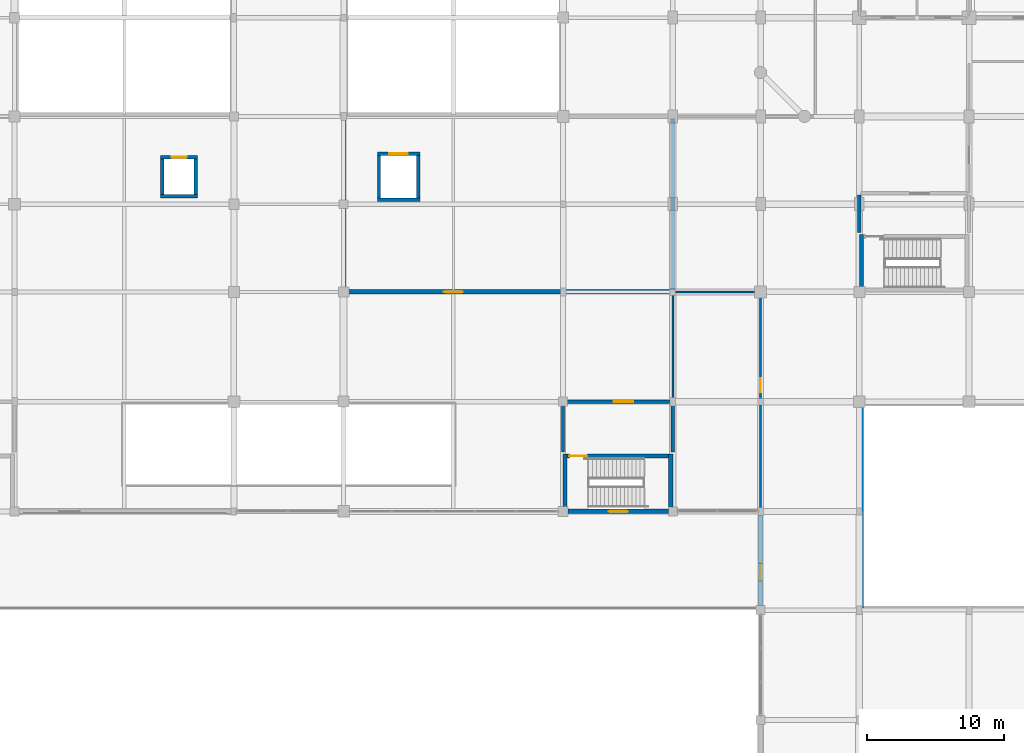
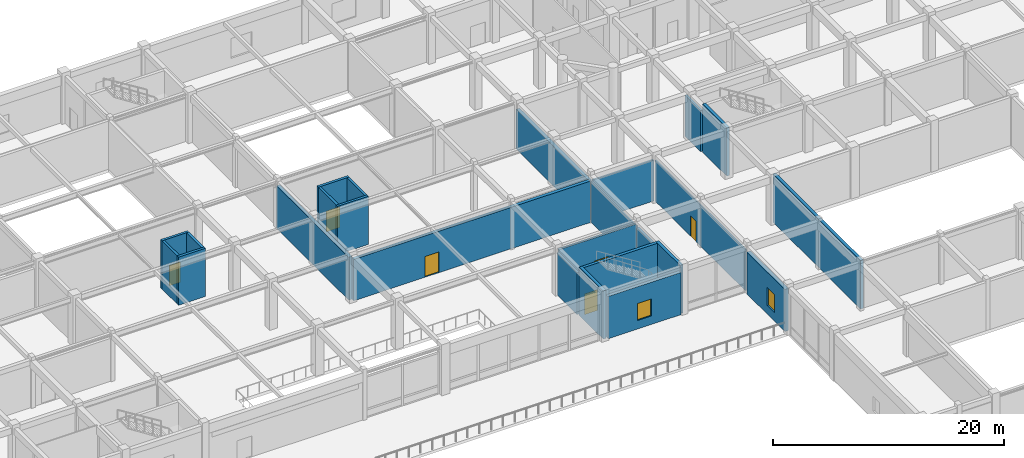
# One storey, part 24 of 36: 25 walls, 6 doors, 2 windows, 8 openings.
"""IFC4 building model written with IfcOpenShell, lengths in metres."""

from ifc_helpers import new_model, si_unit, direction, frame, frame_2d, origin, place, context, subcontext, project, spatial, rectangle, extrude, material, layer, layer_set, type_object, element, fill, save


model = new_model("IFC4")

# Units and contexts
model_context = context("Model", 3, precision=1e-05, world=origin(), true_north=direction((0.0, 1.0)))
body_context = subcontext(model_context, "Body", "Model", "MODEL_VIEW")
ifc_project = project(units=[si_unit("LENGTHUNIT", "METRE"), si_unit("AREAUNIT", "SQUARE_METRE"), si_unit("VOLUMEUNIT", "CUBIC_METRE"), si_unit("PLANEANGLEUNIT", "RADIAN"), si_unit("MASSUNIT", "GRAM", prefix="KILO")], contexts=[model_context])

# Site, building, storey
site_placement = place(None, origin())
site = spatial("IfcSite", under=ifc_project, at=site_placement, CompositionType="ELEMENT")
building_placement = place(site_placement, origin())
building = spatial("IfcBuilding", under=site, at=building_placement, Name="Vellmiral Cinema and Media Centre", CompositionType="ELEMENT")
storey_placement = place(building_placement, frame((0.0, 0.0, 5.39990234375)))
storey = spatial("IfcBuildingStorey", under=building, at=storey_placement, Name="L01", CompositionType="ELEMENT", Elevation=5.39990234375)

# Wall, opening, door
ifc_material_1 = material(Name="Calcium-Silicate Masonry Blockwork", Category="masonry")
ifc_layer_1 = layer(ifc_material_1, 0.1201171875, Name="Calcium-Silicate Masonry Blockwork", Category="masonry")
ifc_material_2 = material(Name="Mineral Wool Acoustic Insulation", Category="insulation")
ifc_layer_2 = layer(ifc_material_2, 0.090087890625, Name="Mineral Wool Acoustic Insulation", Category="insulation")
ifc_layer_3 = layer(ifc_material_1, 0.1201171875, Name="Calcium-Silicate Masonry Blockwork", Category="masonry")
ifc_layer_set_1 = layer_set([ifc_layer_1, ifc_layer_2, ifc_layer_3], Name="Calcium-Silicate Masonry Blockwork")
wall_type_1 = type_object("IfcWallType", Name="WL-AC-330", PredefinedType="SOLIDWALL", material=ifc_layer_set_1)
wall_1_placement = place(storey_placement, frame((86.5400390625, 59.199951171875, 0.0), z_axis=(0.0, 0.0, 1.0), x_axis=(1.0, 0.0, 0.0)))
wall_1 = element("IfcWall", 1, at=wall_1_placement, inside=storey, type_object=wall_type_1, Name="Broadcast Transmission Control Room B Wall S", PredefinedType="SOLIDWALL", context=body_context, shape_type="SweptSolid", body=[
    extrude(rectangle(XDim=23.719970703125, YDim=0.330078125, at=frame_2d((11.85986328125, 0.0))), origin(), (0.0, 0.0, 1.0), 4.385009765625),
])
opening_1_placement = place(wall_1_placement, frame((7.159912109375, 0.0, 0.0)))
opening_1 = element("IfcOpeningElement", 2, at=opening_1_placement, cuts=wall_1, Name="Opening D-AC4", PredefinedType="OPENING", context=body_context, shape_type="SweptSolid", body=[
    extrude(rectangle(XDim=1.39990234375, YDim=2.199951171875, at=frame_2d((0.699951171875, 1.10009765625))), frame((0.0, 0.177001953125, 0.0), z_axis=(0.0, -1.0, 0.0), x_axis=(1.0, 0.0, 0.0)), (0.0, 0.0, 1.0), 0.35400390625),
])
ifc_material_3 = material(Name="Acoustic Studio Door", Category="steel")
door_type_1 = type_object("IfcDoorType", Name="DR-AC-1400x2200", OperationType="NOTDEFINED", PredefinedType="DOOR", material=ifc_material_3)
door_1_placement = place(opening_1_placement, frame((1.39990234375, 0.0, 0.0), z_axis=(0.0, 0.0, 1.0), x_axis=(-1.0, 0.0, 0.0)))
door_1 = element("IfcDoor", 3, at=door_1_placement, inside=storey, type_object=door_type_1, Name="Broadcast Transmission Control Room B Door", OperationType="SINGLE_SWING_RIGHT", OverallHeight=2.199951171875, OverallWidth=1.39990234375, PredefinedType="DOOR", context=body_context, shape_type="SweptSolid", body=[
    extrude(rectangle(XDim=1.39990234375, YDim=2.199951171875, at=frame_2d((0.699951171875, 1.10009765625))), frame((0.0, 0.02490234375, 0.0), z_axis=(0.0, -1.0, 0.0), x_axis=(1.0, 0.0, 0.0)), (0.0, 0.0, 1.0), 0.050048828125),
])
fill(opening_1, door_1)

# Walls
wall_2_placement = place(storey_placement, frame((86.39990234375, 59.340087890625, 0.0), z_axis=(0.0, 0.0, 1.0), x_axis=(0.0, 1.0, 0.0)))
element("IfcWall", 4, at=wall_2_placement, inside=storey, type_object=wall_type_1, Name="Broadcast Transmission Control Room B Wall W", PredefinedType="SOLIDWALL", context=body_context, shape_type="SweptSolid", body=[
    extrude(rectangle(XDim=12.52001953125, YDim=0.330078125, at=frame_2d((6.260009765625, 0.0))), origin(), (0.0, 0.0, 1.0), 4.53515625),
])
wall_3_placement = place(storey_placement, frame((110.39990234375, 59.340087890625, 0.0), z_axis=(0.0, 0.0, 1.0), x_axis=(0.0, 1.0, 0.0)))
element("IfcWall", 5, at=wall_3_placement, inside=storey, type_object=wall_type_1, Name="Broadcast Transmission Control Room B Wall E", PredefinedType="SOLIDWALL", context=body_context, shape_type="SweptSolid", body=[
    extrude(rectangle(XDim=12.52001953125, YDim=0.330078125, at=frame_2d((6.260009765625, 0.0))), origin(), (0.0, 0.0, 1.0), 4.235107421875),
])
ifc_material_4 = material(Name="Concrete C40/50", Category="concrete")
ifc_layer_4 = layer(ifc_material_4, 0.300048828125, Name="Concrete C40/50")
ifc_layer_set_2 = layer_set([ifc_layer_4], Name="Concrete C40/50")
wall_type_2 = type_object("IfcWallType", Name="WL-CORE-300", PredefinedType="SHEAR", material=ifc_layer_set_2)
wall_4_placement = place(storey_placement, frame((124.14990234375, 36.0, 0.0), z_axis=(0.0, 0.0, 1.0), x_axis=(0.0, 1.0, 0.0)))
element("IfcWall", 6, at=wall_4_placement, inside=storey, type_object=wall_type_2, Name="Cinema Screen 6 Acoustic Enclosure Wall L01-W1", PredefinedType="SHEAR", context=body_context, shape_type="SweptSolid", body=[
    extrude(rectangle(XDim=15.199951171875, YDim=0.300048828125, at=frame_2d((7.60009765625, 0.0))), origin(), (0.0, 0.0, 1.0), 5.10009765625),
])
for number, where, z_axis, x_axis, name in (
    (7, (102.550048828125, 43.199951171875, 0.0), (0.0, 0.0, 1.0), (0.0, 1.0, 0.0), "Stair Core Wall ST-P4 L01-W"),
    (8, (110.25, 43.199951171875, 0.0), (0.0, 0.0, 1.0), (0.0, 1.0, 0.0), "Stair Core Wall ST-P4 L01-E"),
):
    element("IfcWall", number, at=place(storey_placement, frame(where, z_axis=z_axis, x_axis=x_axis)), inside=storey, type_object=wall_type_2, Name=name, PredefinedType="SHEAR", context=body_context, shape_type="SweptSolid", body=[
        extrude(rectangle(XDim=4.199951171875, YDim=0.300048828125, at=frame_2d((2.10009765625, 0.0))), origin(), (0.0, 0.0, 1.0), 5.10009765625),
    ])

# Wall, opening, door
wall_5_placement = place(storey_placement, frame((102.699951171875, 47.25, 0.0), z_axis=(0.0, 0.0, 1.0), x_axis=(1.0, 0.0, 0.0)))
wall_5 = element("IfcWall", 9, at=wall_5_placement, inside=storey, type_object=wall_type_2, Name="Stair Core Wall ST-P4 L01-N", PredefinedType="SHEAR", context=body_context, shape_type="SweptSolid", body=[
    extrude(rectangle(XDim=7.400146484375, YDim=0.300048828125, at=frame_2d((3.7001953125, 0.0))), origin(), (0.0, 0.0, 1.0), 5.10009765625),
])
opening_2_placement = place(wall_5_placement, frame((0.159912109375, 0.0, 0.0)))
opening_2 = element("IfcOpeningElement", 10, at=opening_2_placement, cuts=wall_5, Name="Opening D-FD30A", PredefinedType="OPENING", context=body_context, shape_type="SweptSolid", body=[
    extrude(rectangle(XDim=1.300048828125, YDim=2.179931640625, at=frame_2d((0.64990234375, 1.08984375))), frame((0.0, 0.162109375, 0.0), z_axis=(0.0, -1.0, 0.0), x_axis=(1.0, 0.0, 0.0)), (0.0, 0.0, 1.0), 0.323974609375),
])
ifc_material_5 = material(Name="Steel Stair Fire Door", Category="steel")
door_type_2 = type_object("IfcDoorType", Name="DR-FD30-1300x2180", OperationType="NOTDEFINED", PredefinedType="DOOR", material=ifc_material_5)
door_2_placement = place(opening_2_placement, frame((1.300048828125, 0.0, 0.0), z_axis=(0.0, 0.0, 1.0), x_axis=(-1.0, 0.0, 0.0)))
door_2 = element("IfcDoor", 11, at=door_2_placement, inside=storey, type_object=door_type_2, Name="Protected Stair Door ST-P4 L01", OperationType="SINGLE_SWING_RIGHT", OverallHeight=2.179931640625, OverallWidth=1.300048828125, PredefinedType="DOOR", context=body_context, shape_type="SweptSolid", body=[
    extrude(rectangle(XDim=1.300048828125, YDim=2.179931640625, at=frame_2d((0.64990234375, 1.08984375))), frame((0.0, 0.02490234375, 0.0), z_axis=(0.0, -1.0, 0.0), x_axis=(1.0, 0.0, 0.0)), (0.0, 0.0, 1.0), 0.050048828125),
])
fill(opening_2, door_2)

# Wall
wall_6_placement = place(storey_placement, frame((124.14990234375, 59.199951171875, 0.0), z_axis=(0.0, 0.0, 1.0), x_axis=(0.0, 1.0, 0.0)))
element("IfcWall", 12, at=wall_6_placement, inside=storey, type_object=wall_type_2, Name="Stair Core Wall ST-P6 L01-W", PredefinedType="SHEAR", context=body_context, shape_type="SweptSolid", body=[
    extrude(rectangle(XDim=4.199951171875, YDim=0.300048828125, at=frame_2d((2.10009765625, 0.0))), origin(), (0.0, 0.0, 1.0), 5.10009765625),
])

# Wall, opening, window
ifc_material_6 = material(Name="Polychrome Glazed Ceramic Cladding", Category="masonry")
ifc_layer_5 = layer(ifc_material_6, 0.320068359375, Name="Polychrome Glazed Ceramic Cladding")
ifc_layer_set_3 = layer_set([ifc_layer_5], Name="Polychrome Glazed Ceramic Cladding")
wall_type_3 = type_object("IfcWallType", Name="WL-EXT-BRICK-320", PredefinedType="SOLIDWALL", material=ifc_layer_set_3)
wall_7_placement = place(storey_placement, frame((102.77490234375, 43.199951171875, 0.0), z_axis=(0.0, 0.0, 1.0), x_axis=(1.0, 0.0, 0.0)))
wall_7 = element("IfcWall", 13, at=wall_7_placement, inside=storey, type_object=wall_type_3, Name="Exterior Facade Wall L01-015", PredefinedType="SOLIDWALL", context=body_context, shape_type="SweptSolid", body=[
    extrude(rectangle(XDim=7.300048828125, YDim=0.320068359375, at=frame_2d((3.64990234375, 0.0))), origin(), (0.0, 0.0, 1.0), 4.47509765625),
])
opening_3_placement = place(wall_7_placement, frame((2.949951171875, 0.0, 0.89990234375)))
opening_3 = element("IfcOpeningElement", 14, at=opening_3_placement, cuts=wall_7, Name="Opening WN-07", PredefinedType="OPENING", context=body_context, shape_type="SweptSolid", body=[
    extrude(rectangle(XDim=1.39990234375, YDim=1.800048828125, at=frame_2d((0.699951171875, 0.89990234375))), frame((0.0, 0.171875, 0.0), z_axis=(0.0, -1.0, 0.0), x_axis=(1.0, 0.0, 0.0)), (0.0, 0.0, 1.0), 0.343994140625),
])
ifc_material_7 = material(Name="Thermally Broken Aluminium Triple Glazing", Category="aluminium")
window_type_1 = type_object("IfcWindowType", Name="WN-1400x1800", PartitioningType="SINGLE_PANEL", PredefinedType="WINDOW", material=ifc_material_7)
window_1_placement = place(opening_3_placement, origin())
window_1 = element("IfcWindow", 15, at=window_1_placement, inside=storey, type_object=window_type_1, Name="Window L01-015", OverallHeight=1.800048828125, OverallWidth=1.39990234375, PartitioningType="SINGLE_PANEL", PredefinedType="WINDOW", context=body_context, shape_type="SweptSolid", body=[
    extrude(rectangle(XDim=1.39990234375, YDim=1.800048828125, at=frame_2d((0.699951171875, 0.89990234375))), frame((0.0, 0.030029296875, 0.0), z_axis=(0.0, -1.0, 0.0), x_axis=(1.0, 0.0, 0.0)), (0.0, 0.0, 1.0), 0.06005859375),
])
fill(opening_3, window_1)

ifc_material_8 = material(Name="Vosges Red Sandstone Masonry", Category="masonry")
ifc_layer_6 = layer(ifc_material_8, 0.3798828125, Name="Vosges Red Sandstone Masonry")
ifc_layer_set_4 = layer_set([ifc_layer_6], Name="Vosges Red Sandstone Masonry")
wall_type_4 = type_object("IfcWallType", Name="WL-EXT-SAND-380", PredefinedType="SOLIDWALL", material=ifc_layer_set_4)
wall_8_placement = place(storey_placement, frame((116.800048828125, 42.89990234375, 0.0), z_axis=(0.0, 0.0, 1.0), x_axis=(0.0, -1.0, 0.0)))
wall_8 = element("IfcWall", 16, at=wall_8_placement, inside=storey, type_object=wall_type_4, Name="Exterior Facade Wall L01-017", PredefinedType="SOLIDWALL", context=body_context, shape_type="SweptSolid", body=[
    extrude(rectangle(XDim=6.574951171875, YDim=0.3798828125, at=frame_2d((3.28759765625, 0.0))), origin(), (0.0, 0.0, 1.0), 4.440185546875),
])
opening_4_placement = place(wall_8_placement, frame((3.512451171875, 0.0, 0.89990234375)))
opening_4 = element("IfcOpeningElement", 17, at=opening_4_placement, cuts=wall_8, Name="Opening WN-09", PredefinedType="OPENING", context=body_context, shape_type="SweptSolid", body=[
    extrude(rectangle(XDim=1.25, YDim=1.89990234375, at=frame_2d((0.625, 0.949951171875))), frame((0.0, 0.201904296875, 0.0), z_axis=(0.0, -1.0, 0.0), x_axis=(1.0, 0.0, 0.0)), (0.0, 0.0, 1.0), 0.40380859375),
])
ifc_material_9 = material(Name="Thermally Broken Aluminium Triple Glazing", Category="aluminium")
window_type_2 = type_object("IfcWindowType", Name="WN-1250x1900", PartitioningType="SINGLE_PANEL", PredefinedType="WINDOW", material=ifc_material_9)
window_2_placement = place(opening_4_placement, origin())
window_2 = element("IfcWindow", 18, at=window_2_placement, inside=storey, type_object=window_type_2, Name="Window L01-017", OverallHeight=1.89990234375, OverallWidth=1.25, PartitioningType="SINGLE_PANEL", PredefinedType="WINDOW", context=body_context, shape_type="SweptSolid", body=[
    extrude(rectangle(XDim=1.25, YDim=1.89990234375, at=frame_2d((0.625, 0.949951171875))), frame((0.0, 0.030029296875, 0.0), z_axis=(0.0, -1.0, 0.0), x_axis=(1.0, 0.0, 0.0)), (0.0, 0.0, 1.0), 0.06005859375),
])
fill(opening_4, window_2)

# Wall, opening, door
ifc_material_10 = material(Name="Concrete C40/50", Category="concrete")
ifc_layer_7 = layer(ifc_material_10, 0.22998046875, Name="Concrete C40/50")
ifc_layer_set_5 = layer_set([ifc_layer_7], Name="Concrete C40/50")
wall_type_5 = type_object("IfcWallType", Name="WL-FFL-230", PredefinedType="SOLIDWALL", material=ifc_layer_set_5)
wall_9_placement = place(storey_placement, frame((102.5400390625, 51.199951171875, 0.0), z_axis=(0.0, 0.0, 1.0), x_axis=(1.0, 0.0, 0.0)))
wall_9 = element("IfcWall", 19, at=wall_9_placement, inside=storey, type_object=wall_type_5, Name="Firefighting Stair Lobby ST-P4 Wall N", PredefinedType="SOLIDWALL", context=body_context, shape_type="SweptSolid", body=[
    extrude(rectangle(XDim=7.719970703125, YDim=0.22998046875, at=frame_2d((3.85986328125, 0.0))), origin(), (0.0, 0.0, 1.0), 4.64501953125),
])
opening_5_placement = place(wall_9_placement, frame((3.56005859375, 0.0, 0.0)))
opening_5 = element("IfcOpeningElement", 20, at=opening_5_placement, cuts=wall_9, Name="Opening D-FD60B", PredefinedType="OPENING", context=body_context, shape_type="SweptSolid", body=[
    extrude(rectangle(XDim=1.39990234375, YDim=2.199951171875, at=frame_2d((0.699951171875, 1.10009765625))), frame((0.0, 0.126953125, 0.0), z_axis=(0.0, -1.0, 0.0), x_axis=(1.0, 0.0, 0.0)), (0.0, 0.0, 1.0), 0.25390625),
])
ifc_material_11 = material(Name="Steel Fire Door", Category="steel")
door_type_3 = type_object("IfcDoorType", Name="DR-FD60-1400x2200", OperationType="NOTDEFINED", PredefinedType="DOOR", material=ifc_material_11)
door_3_placement = place(opening_5_placement, frame((1.39990234375, 0.0, 0.0), z_axis=(0.0, 0.0, 1.0), x_axis=(-1.0, 0.0, 0.0)))
door_3 = element("IfcDoor", 21, at=door_3_placement, inside=storey, type_object=door_type_3, Name="Firefighting Stair Lobby ST-P4 Door", OperationType="SINGLE_SWING_LEFT", OverallHeight=2.199951171875, OverallWidth=1.39990234375, PredefinedType="DOOR", context=body_context, shape_type="SweptSolid", body=[
    extrude(rectangle(XDim=1.39990234375, YDim=2.199951171875, at=frame_2d((0.699951171875, 1.10009765625))), frame((0.0, 0.02490234375, 0.0), z_axis=(0.0, -1.0, 0.0), x_axis=(1.0, 0.0, 0.0)), (0.0, 0.0, 1.0), 0.050048828125),
])
fill(opening_5, door_3)

# Walls
wall_10_placement = place(storey_placement, frame((102.39990234375, 47.5400390625, 0.0), z_axis=(0.0, 0.0, 1.0), x_axis=(0.0, 1.0, 0.0)))
element("IfcWall", 22, at=wall_10_placement, inside=storey, type_object=wall_type_5, Name="Firefighting Stair Lobby ST-P4 Wall W", PredefinedType="SOLIDWALL", context=body_context, shape_type="SweptSolid", body=[
    extrude(rectangle(XDim=3.52001953125, YDim=0.22998046875, at=frame_2d((1.760009765625, 0.0))), origin(), (0.0, 0.0, 1.0), 4.43505859375),
])
wall_11_placement = place(storey_placement, frame((110.39990234375, 47.5400390625, 0.0), z_axis=(0.0, 0.0, 1.0), x_axis=(0.0, 1.0, 0.0)))
element("IfcWall", 23, at=wall_11_placement, inside=storey, type_object=wall_type_5, Name="Firefighting Stair Lobby ST-P4 Wall E", PredefinedType="SOLIDWALL", context=body_context, shape_type="SweptSolid", body=[
    extrude(rectangle(XDim=3.52001953125, YDim=0.22998046875, at=frame_2d((1.760009765625, 0.0))), origin(), (0.0, 0.0, 1.0), 4.28515625),
])
wall_12_placement = place(storey_placement, frame((124.0, 63.5400390625, 0.0), z_axis=(0.0, 0.0, 1.0), x_axis=(0.0, 1.0, 0.0)))
element("IfcWall", 24, at=wall_12_placement, inside=storey, type_object=wall_type_5, Name="Firefighting Stair Lobby ST-P6 Wall W", PredefinedType="SOLIDWALL", context=body_context, shape_type="SweptSolid", body=[
    extrude(rectangle(XDim=2.719970703125, YDim=0.22998046875, at=frame_2d((1.35986328125, 0.0))), origin(), (0.0, 0.0, 1.0), 4.335205078125),
])

# Wall, opening, door
ifc_material_12 = material(Name="Gypsum Plasterboard")
ifc_layer_8 = layer(ifc_material_12, 0.02490234375, Name="Gypsum Plasterboard", Category="gypsum")
ifc_material_13 = material(Name="Mineral Wool Acoustic Insulation", Category="insulation")
ifc_layer_9 = layer(ifc_material_13, 0.080078125, Name="Mineral Wool Acoustic Insulation", Category="insulation")
ifc_layer_10 = layer(ifc_material_12, 0.02490234375, Name="Gypsum Plasterboard", Category="gypsum")
ifc_layer_set_6 = layer_set([ifc_layer_8, ifc_layer_9, ifc_layer_10], Name="Gypsum Plasterboard")
wall_type_6 = type_object("IfcWallType", Name="WL-PART-130", PredefinedType="PARTITIONING", material=ifc_layer_set_6)
wall_13_placement = place(storey_placement, frame((116.800048828125, 43.405029296875, 0.0), z_axis=(0.0, 0.0, 1.0), x_axis=(0.0, 1.0, 0.0)))
wall_13 = element("IfcWall", 25, at=wall_13_placement, inside=storey, type_object=wall_type_6, Name="Cinema Projection Booths East Wall E", PredefinedType="PARTITIONING", context=body_context, shape_type="SweptSolid", body=[
    extrude(rectangle(XDim=15.655029296875, YDim=0.1298828125, at=frame_2d((7.82763671875, 0.0))), origin(), (0.0, 0.0, 1.0), 4.335205078125),
])
opening_6_placement = place(wall_13_placement, frame((8.4951171875, 0.0, 0.0)))
opening_6 = element("IfcOpeningElement", 26, at=opening_6_placement, cuts=wall_13, Name="Opening D-I08", PredefinedType="OPENING", context=body_context, shape_type="SweptSolid", body=[
    extrude(rectangle(XDim=1.0, YDim=2.14990234375, at=frame_2d((0.5, 1.074951171875))), frame((0.0, 0.076904296875, 0.0), z_axis=(0.0, -1.0, 0.0), x_axis=(1.0, 0.0, 0.0)), (0.0, 0.0, 1.0), 0.15380859375),
])
ifc_material_14 = material(Name="Laminated Timber Door", Category="wood")
door_type_4 = type_object("IfcDoorType", Name="DR-INT-1000x2150", OperationType="NOTDEFINED", PredefinedType="DOOR", material=ifc_material_14)
door_4_placement = place(opening_6_placement, frame((1.0, 0.0, 0.0), z_axis=(0.0, 0.0, 1.0), x_axis=(-1.0, 0.0, 0.0)))
door_4 = element("IfcDoor", 27, at=door_4_placement, inside=storey, type_object=door_type_4, Name="Cinema Projection Booths East Door", OperationType="SINGLE_SWING_LEFT", OverallHeight=2.14990234375, OverallWidth=1.0, PredefinedType="DOOR", context=body_context, shape_type="SweptSolid", body=[
    extrude(rectangle(XDim=1.0, YDim=2.14990234375, at=frame_2d((0.5, 1.074951171875))), frame((0.0, 0.02490234375, 0.0), z_axis=(0.0, -1.0, 0.0), x_axis=(1.0, 0.0, 0.0)), (0.0, 0.0, 1.0), 0.050048828125),
])
fill(opening_6, door_4)

# Walls
ifc_material_15 = material(Name="Gypsum Plasterboard")
ifc_layer_11 = layer(ifc_material_15, 0.02490234375, Name="Gypsum Plasterboard", Category="gypsum")
ifc_material_16 = material(Name="Mineral Wool Acoustic Insulation", Category="insulation")
ifc_layer_12 = layer(ifc_material_16, 0.10009765625, Name="Mineral Wool Acoustic Insulation", Category="insulation")
ifc_layer_13 = layer(ifc_material_15, 0.02490234375, Name="Gypsum Plasterboard", Category="gypsum")
ifc_layer_set_7 = layer_set([ifc_layer_11, ifc_layer_12, ifc_layer_13], Name="Gypsum Plasterboard")
wall_type_7 = type_object("IfcWallType", Name="WL-PART-150", PredefinedType="PARTITIONING", material=ifc_layer_set_7)
wall_14_placement = place(storey_placement, frame((110.39990234375, 51.199951171875, 0.0), z_axis=(0.0, 0.0, 1.0), x_axis=(0.0, 1.0, 0.0)))
element("IfcWall", 28, at=wall_14_placement, inside=storey, type_object=wall_type_7, Name="Cinema Projection Booths East Wall W", PredefinedType="PARTITIONING", context=body_context, shape_type="SweptSolid", body=[
    extrude(rectangle(XDim=7.860107421875, YDim=0.14990234375, at=frame_2d((3.93017578125, 0.0))), origin(), (0.0, 0.0, 1.0), 4.335205078125),
])
ifc_material_17 = material(Name="Gypsum Plasterboard")
ifc_layer_14 = layer(ifc_material_17, 0.02490234375, Name="Gypsum Plasterboard", Category="gypsum")
ifc_material_18 = material(Name="Mineral Wool Acoustic Insulation", Category="insulation")
ifc_layer_15 = layer(ifc_material_18, 0.1201171875, Name="Mineral Wool Acoustic Insulation", Category="insulation")
ifc_layer_16 = layer(ifc_material_17, 0.02490234375, Name="Gypsum Plasterboard", Category="gypsum")
ifc_layer_set_8 = layer_set([ifc_layer_14, ifc_layer_15, ifc_layer_16], Name="Gypsum Plasterboard")
wall_type_8 = type_object("IfcWallType", Name="WL-PART-170", PredefinedType="PARTITIONING", material=ifc_layer_set_8)
wall_15_placement = place(storey_placement, frame((110.5400390625, 59.199951171875, 0.0), z_axis=(0.0, 0.0, 1.0), x_axis=(1.0, 0.0, 0.0)))
element("IfcWall", 29, at=wall_15_placement, inside=storey, type_object=wall_type_8, Name="Cinema Projection Booths East Wall N", PredefinedType="PARTITIONING", context=body_context, shape_type="SweptSolid", body=[
    extrude(rectangle(XDim=6.119873046875, YDim=0.169921875, at=frame_2d((3.06005859375, 0.0))), origin(), (0.0, 0.0, 1.0), 4.335205078125),
])
ifc_material_19 = material(Name="Concrete C40/50", Category="concrete")
ifc_layer_17 = layer(ifc_material_19, 0.25, Name="Concrete C40/50")
ifc_layer_set_9 = layer_set([ifc_layer_17], Name="Concrete C40/50")
wall_type_9 = type_object("IfcWallType", Name="WL-SHAFT-250", PredefinedType="SHEAR", material=ifc_layer_set_9)
wall_16_placement = place(storey_placement, frame((73.050048828125, 66.175048828125, 0.0), z_axis=(0.0, 0.0, 1.0), x_axis=(1.0, 0.0, 0.0)))
element("IfcWall", 30, at=wall_16_placement, inside=storey, type_object=wall_type_9, Name="Lift Shaft Wall LF-C2 L01-S", PredefinedType="SHEAR", context=body_context, shape_type="SweptSolid", body=[
    extrude(rectangle(XDim=2.699951171875, YDim=0.25, at=frame_2d((1.35009765625, 0.0))), origin(), (0.0, 0.0, 1.0), 5.10009765625),
])

# Wall, opening, door
wall_17_placement = place(storey_placement, frame((73.050048828125, 69.02490234375, 0.0), z_axis=(0.0, 0.0, 1.0), x_axis=(1.0, 0.0, 0.0)))
wall_17 = element("IfcWall", 31, at=wall_17_placement, inside=storey, type_object=wall_type_9, Name="Lift Shaft Wall LF-C2 L01-N", PredefinedType="SHEAR", context=body_context, shape_type="SweptSolid", body=[
    extrude(rectangle(XDim=2.699951171875, YDim=0.25, at=frame_2d((1.35009765625, 0.0))), origin(), (0.0, 0.0, 1.0), 5.10009765625),
])
opening_7_placement = place(wall_17_placement, frame((0.800048828125, 0.0, 0.0)))
opening_7 = element("IfcOpeningElement", 32, at=opening_7_placement, cuts=wall_17, Name="Opening LD-01", PredefinedType="OPENING", context=body_context, shape_type="SweptSolid", body=[
    extrude(rectangle(XDim=1.10009765625, YDim=2.14990234375, at=frame_2d((0.550048828125, 1.074951171875))), frame((0.0, 0.136962890625, 0.0), z_axis=(0.0, -1.0, 0.0), x_axis=(1.0, 0.0, 0.0)), (0.0, 0.0, 1.0), 0.27392578125),
])
ifc_material_20 = material(Name="Stainless Steel Lift Landing Door", Category="steel")
door_type_5 = type_object("IfcDoorType", Name="DR-LIFT-1100x2150", OperationType="SLIDING_TO_LEFT", PredefinedType="DOOR", material=ifc_material_20)
door_5_placement = place(opening_7_placement, origin())
door_5 = element("IfcDoor", 33, at=door_5_placement, inside=storey, type_object=door_type_5, Name="Lift Landing Door LF-C2 L01", OperationType="SLIDING_TO_LEFT", OverallHeight=2.14990234375, OverallWidth=1.10009765625, PredefinedType="DOOR", context=body_context, shape_type="SweptSolid", body=[
    extrude(rectangle(XDim=1.10009765625, YDim=2.14990234375, at=frame_2d((0.550048828125, 1.074951171875))), frame((0.0, 0.02490234375, 0.0), z_axis=(0.0, -1.0, 0.0), x_axis=(1.0, 0.0, 0.0)), (0.0, 0.0, 1.0), 0.050048828125),
])
fill(opening_7, door_5)

# Walls
for number, where, z_axis, x_axis, name in (
    (34, (73.175048828125, 66.300048828125, 0.0), (0.0, 0.0, 1.0), (0.0, 1.0, 0.0), "Lift Shaft Wall LF-C2 L01-W"),
    (35, (75.625, 66.300048828125, 0.0), (0.0, 0.0, 1.0), (0.0, 1.0, 0.0), "Lift Shaft Wall LF-C2 L01-E"),
):
    element("IfcWall", number, at=place(storey_placement, frame(where, z_axis=z_axis, x_axis=x_axis)), inside=storey, type_object=wall_type_9, Name=name, PredefinedType="SHEAR", context=body_context, shape_type="SweptSolid", body=[
        extrude(rectangle(XDim=2.599853515625, YDim=0.25, at=frame_2d((1.2998046875, 0.0))), origin(), (0.0, 0.0, 1.0), 5.10009765625),
    ])
wall_18_placement = place(storey_placement, frame((88.85009765625, 65.925048828125, 0.0), z_axis=(0.0, 0.0, 1.0), x_axis=(1.0, 0.0, 0.0)))
element("IfcWall", 36, at=wall_18_placement, inside=storey, type_object=wall_type_9, Name="Lift Shaft Wall LF-G1 L01-S", PredefinedType="SHEAR", context=body_context, shape_type="SweptSolid", body=[
    extrude(rectangle(XDim=3.099853515625, YDim=0.25, at=frame_2d((1.5498046875, 0.0))), origin(), (0.0, 0.0, 1.0), 5.10009765625),
])

# Wall, opening, door
wall_19_placement = place(storey_placement, frame((88.85009765625, 69.27490234375, 0.0), z_axis=(0.0, 0.0, 1.0), x_axis=(1.0, 0.0, 0.0)))
wall_19 = element("IfcWall", 37, at=wall_19_placement, inside=storey, type_object=wall_type_9, Name="Lift Shaft Wall LF-G1 L01-N", PredefinedType="SHEAR", context=body_context, shape_type="SweptSolid", body=[
    extrude(rectangle(XDim=3.099853515625, YDim=0.25, at=frame_2d((1.5498046875, 0.0))), origin(), (0.0, 0.0, 1.0), 5.10009765625),
])
opening_8_placement = place(wall_19_placement, frame((0.875, 0.0, 0.0)))
opening_8 = element("IfcOpeningElement", 38, at=opening_8_placement, cuts=wall_19, Name="Opening LD-02", PredefinedType="OPENING", context=body_context, shape_type="SweptSolid", body=[
    extrude(rectangle(XDim=1.35009765625, YDim=2.199951171875, at=frame_2d((0.675048828125, 1.10009765625))), frame((0.0, 0.136962890625, 0.0), z_axis=(0.0, -1.0, 0.0), x_axis=(1.0, 0.0, 0.0)), (0.0, 0.0, 1.0), 0.27392578125),
])
ifc_material_21 = material(Name="Stainless Steel Goods Lift Landing Door", Category="steel")
door_type_6 = type_object("IfcDoorType", Name="DR-LIFT-1350x2200", OperationType="SLIDING_TO_LEFT", PredefinedType="DOOR", material=ifc_material_21)
door_6_placement = place(opening_8_placement, origin())
door_6 = element("IfcDoor", 39, at=door_6_placement, inside=storey, type_object=door_type_6, Name="Lift Landing Door LF-G1 L01", OperationType="SLIDING_TO_LEFT", OverallHeight=2.199951171875, OverallWidth=1.35009765625, PredefinedType="DOOR", context=body_context, shape_type="SweptSolid", body=[
    extrude(rectangle(XDim=1.35009765625, YDim=2.199951171875, at=frame_2d((0.675048828125, 1.10009765625))), frame((0.0, 0.02490234375, 0.0), z_axis=(0.0, -1.0, 0.0), x_axis=(1.0, 0.0, 0.0)), (0.0, 0.0, 1.0), 0.050048828125),
])
fill(opening_8, door_6)

# Walls
for number, where, z_axis, x_axis, name in (
    (40, (88.97509765625, 66.050048828125, 0.0), (0.0, 0.0, 1.0), (0.0, 1.0, 0.0), "Lift Shaft Wall LF-G1 L01-W"),
    (41, (91.824951171875, 66.050048828125, 0.0), (0.0, 0.0, 1.0), (0.0, 1.0, 0.0), "Lift Shaft Wall LF-G1 L01-E"),
):
    element("IfcWall", number, at=place(storey_placement, frame(where, z_axis=z_axis, x_axis=x_axis)), inside=storey, type_object=wall_type_9, Name=name, PredefinedType="SHEAR", context=body_context, shape_type="SweptSolid", body=[
        extrude(rectangle(XDim=3.099853515625, YDim=0.25, at=frame_2d((1.5498046875, 0.0))), origin(), (0.0, 0.0, 1.0), 5.10009765625),
    ])

save(model, "model.ifc")
